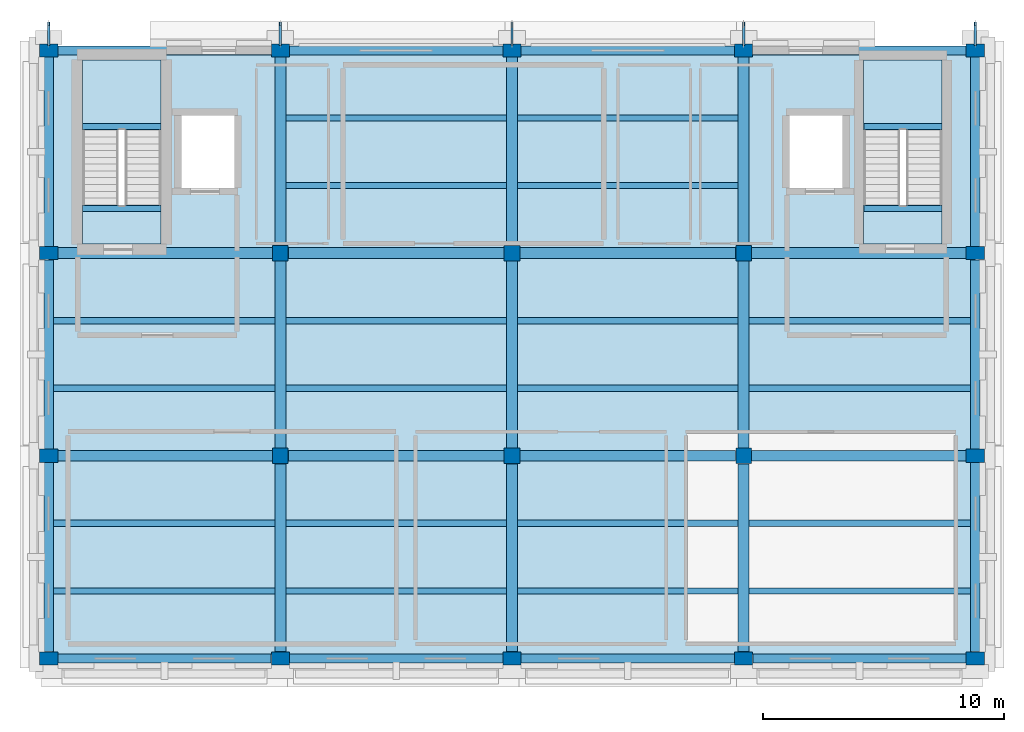
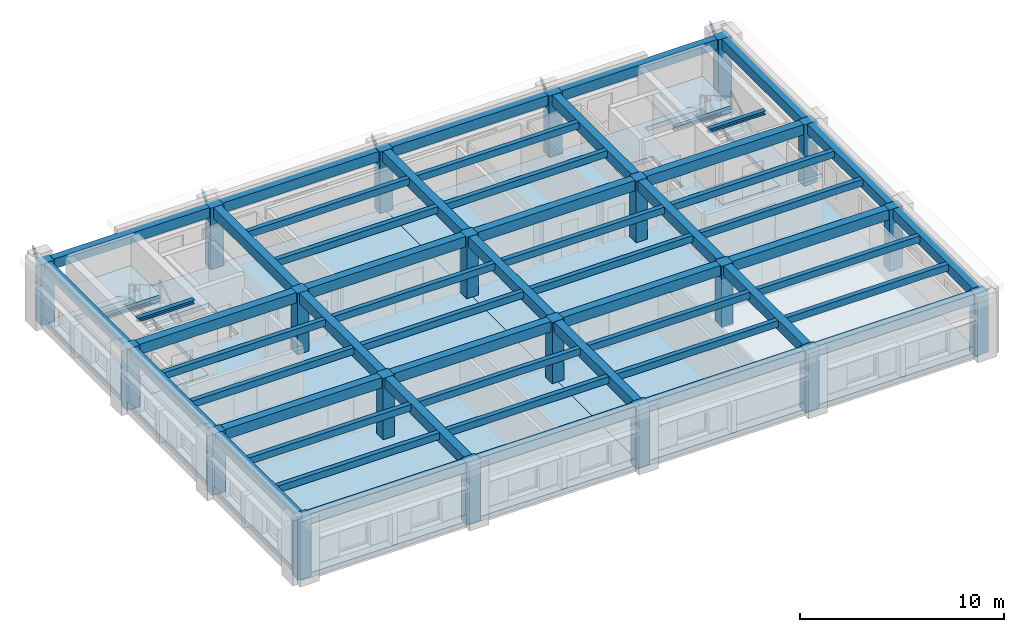
# One storey, part 1 of 9: 55 beams, 20 columns, 6 slabs, 5 members, 2 elements without a shape of their own.
"""IFC4 building model written with IfcOpenShell, lengths in metres."""

from ifc_helpers import new_model, si_unit, direction, frame, origin, origin_2d, place, context, subcontext, project, spatial, polyline, rectangle, hollow_rectangle, i_section, outline, extrude, material, layer, layer_set, material_profile, profile_set, type_object, element, aggregate, save


model = new_model("IFC4")

# Units and contexts
model_context = context("Model", 3, precision=1e-05, world=origin(), true_north=direction((0.0, 1.0)))
body_context = subcontext(model_context, "Body", "Model", "MODEL_VIEW")
ifc_project = project(units=[si_unit("LENGTHUNIT", "METRE"), si_unit("AREAUNIT", "SQUARE_METRE"), si_unit("VOLUMEUNIT", "CUBIC_METRE"), si_unit("PLANEANGLEUNIT", "RADIAN"), si_unit("MASSUNIT", "GRAM", prefix="KILO")], contexts=[model_context])

# Site, building, storey
site_placement = place(None, origin())
site = spatial("IfcSite", under=ifc_project, at=site_placement, CompositionType="ELEMENT")
building_placement = place(site_placement, origin())
building = spatial("IfcBuilding", under=site, at=building_placement, Name="Bempovik Park Faculty of Sciences", CompositionType="ELEMENT")
storey_placement = place(building_placement, frame((0.0, 0.0, 46.199951171875)))
storey = spatial("IfcBuildingStorey", under=building, at=storey_placement, Name="L11", CompositionType="ELEMENT", Elevation=46.199951171875)

# Columns
ifc_material_1 = material(Name="Concrete C40/50", Category="concrete")
ifc_material_profile_1 = material_profile(ifc_material_1, rectangle(XDim=0.75, YDim=0.550048828125, at=origin_2d()), Name="RC 750x550")
ifc_profile_set_1 = profile_set([ifc_material_profile_1], Name="Concrete C40/50")
column_type_1 = type_object("IfcColumnType", Name="C-43 RC 750x550", PredefinedType="COLUMN", material=ifc_profile_set_1)
for number, where, z_axis, x_axis, name in (
    (1, (69.60009765625, 94.199951171875, 0.0), (0.0, 0.0, 1.0), (1.0, 0.0, 0.0), "L11 Structural Column (69.6,94.2)"),
    (2, (69.60009765625, 102.60009765625, 0.0), (0.0, 0.0, 1.0), (1.0, 0.0, 0.0), "L11 Structural Column (69.6,102.6)"),
    (3, (69.60009765625, 111.0, 0.0), (0.0, 0.0, 1.0), (1.0, 0.0, 0.0), "L11 Structural Column (69.6,111.0)"),
    (4, (69.60009765625, 119.39990234375, 0.0), (0.0, 0.0, 1.0), (1.0, 0.0, 0.0), "L11 Structural Column (69.6,119.4)"),
    (5, (79.199951171875, 94.199951171875, 0.0), (0.0, 0.0, 1.0), (1.0, 0.0, 0.0), "L11 Structural Column (79.2,94.2)"),
    (6, (79.199951171875, 119.39990234375, 0.0), (0.0, 0.0, 1.0), (1.0, 0.0, 0.0), "L11 Structural Column (79.2,119.4)"),
    (7, (88.800048828125, 94.199951171875, 0.0), (0.0, 0.0, 1.0), (1.0, 0.0, 0.0), "L11 Structural Column (88.8,94.2)"),
    (8, (88.800048828125, 119.39990234375, 0.0), (0.0, 0.0, 1.0), (1.0, 0.0, 0.0), "L11 Structural Column (88.8,119.4)"),
    (9, (98.39990234375, 94.199951171875, 0.0), (0.0, 0.0, 1.0), (1.0, 0.0, 0.0), "L11 Structural Column (98.4,94.2)"),
    (10, (98.39990234375, 119.39990234375, 0.0), (0.0, 0.0, 1.0), (1.0, 0.0, 0.0), "L11 Structural Column (98.4,119.4)"),
    (11, (108.0, 94.199951171875, 0.0), (0.0, 0.0, 1.0), (1.0, 0.0, 0.0), "L11 Structural Column (108.0,94.2)"),
    (12, (108.0, 102.60009765625, 0.0), (0.0, 0.0, 1.0), (1.0, 0.0, 0.0), "L11 Structural Column (108.0,102.6)"),
    (13, (108.0, 111.0, 0.0), (0.0, 0.0, 1.0), (1.0, 0.0, 0.0), "L11 Structural Column (108.0,111.0)"),
    (14, (108.0, 119.39990234375, 0.0), (0.0, 0.0, 1.0), (1.0, 0.0, 0.0), "L11 Structural Column (108.0,119.4)"),
):
    element("IfcColumn", number, at=place(storey_placement, frame(where, z_axis=z_axis, x_axis=x_axis)), inside=storey, type_object=column_type_1, Name=name, PredefinedType="COLUMN", context=body_context, shape_type="SweptSolid", body=[
        extrude(rectangle(XDim=0.75, YDim=0.550048828125, at=origin_2d()), origin(), (0.0, 0.0, 1.0), 3.679931640625),
    ])
ifc_material_profile_2 = material_profile(ifc_material_1, rectangle(XDim=0.64990234375, YDim=0.64990234375, at=origin_2d()), Name="RC 650x650")
ifc_profile_set_2 = profile_set([ifc_material_profile_2], Name="Concrete C40/50")
column_type_2 = type_object("IfcColumnType", Name="C-82 RC 650x650", PredefinedType="COLUMN", material=ifc_profile_set_2)
for number, where, z_axis, x_axis, name in (
    (15, (79.199951171875, 102.60009765625, 0.0), (0.0, 0.0, 1.0), (1.0, 0.0, 0.0), "L11 Structural Column (79.2,102.6)"),
    (16, (79.199951171875, 111.0, 0.0), (0.0, 0.0, 1.0), (1.0, 0.0, 0.0), "L11 Structural Column (79.2,111.0)"),
    (17, (88.800048828125, 102.60009765625, 0.0), (0.0, 0.0, 1.0), (1.0, 0.0, 0.0), "L11 Structural Column (88.8,102.6)"),
    (18, (88.800048828125, 111.0, 0.0), (0.0, 0.0, 1.0), (1.0, 0.0, 0.0), "L11 Structural Column (88.8,111.0)"),
    (19, (98.39990234375, 102.60009765625, 0.0), (0.0, 0.0, 1.0), (1.0, 0.0, 0.0), "L11 Structural Column (98.4,102.6)"),
    (20, (98.39990234375, 111.0, 0.0), (0.0, 0.0, 1.0), (1.0, 0.0, 0.0), "L11 Structural Column (98.4,111.0)"),
):
    element("IfcColumn", number, at=place(storey_placement, frame(where, z_axis=z_axis, x_axis=x_axis)), inside=storey, type_object=column_type_2, Name=name, PredefinedType="COLUMN", context=body_context, shape_type="SweptSolid", body=[
        extrude(rectangle(XDim=0.64990234375, YDim=0.64990234375, at=origin_2d()), origin(), (0.0, 0.0, 1.0), 3.679931640625),
    ])

# Beams
ifc_material_2 = material(Name="Concrete C35/45", Category="concrete")
ifc_material_profile_3 = material_profile(ifc_material_2, rectangle(XDim=0.3798828125, YDim=0.60009765625, at=origin_2d()), Name="RC 380x600")
ifc_profile_set_3 = profile_set([ifc_material_profile_3], Name="Concrete C35/45")
beam_type_1 = type_object("IfcBeamType", Name="B-032 RC 380x600", PredefinedType="SPANDREL", material=ifc_profile_set_3)
beam_1_placement = place(storey_placement, frame((69.98095703125, 94.199951171875, 3.380126953125), z_axis=(1.0, 0.0, 0.0), x_axis=(0.0, 1.0, 0.0)))
element("IfcBeam", 21, at=beam_1_placement, inside=storey, type_object=beam_type_1, Name="L11 Beam X (69.6-79.2, y=94.2)", PredefinedType="SPANDREL", context=body_context, shape_type="SweptSolid", body=[
    extrude(rectangle(XDim=0.3798828125, YDim=0.60009765625, at=origin_2d()), origin(), (0.0, 0.0, 1.0), 8.838134765625),
])
beam_2_placement = place(storey_placement, frame((79.5810546875, 94.199951171875, 3.380126953125), z_axis=(1.0, 0.0, 0.0), x_axis=(0.0, 1.0, 0.0)))
element("IfcBeam", 22, at=beam_2_placement, inside=storey, type_object=beam_type_1, Name="L11 Beam X (79.2-88.8, y=94.2)", PredefinedType="SPANDREL", context=body_context, shape_type="SweptSolid", body=[
    extrude(rectangle(XDim=0.3798828125, YDim=0.60009765625, at=origin_2d()), origin(), (0.0, 0.0, 1.0), 8.837890625),
])
beam_3_placement = place(storey_placement, frame((89.180908203125, 94.199951171875, 3.380126953125), z_axis=(1.0, 0.0, 0.0), x_axis=(0.0, 1.0, 0.0)))
element("IfcBeam", 23, at=beam_3_placement, inside=storey, type_object=beam_type_1, Name="L11 Beam X (88.8-98.4, y=94.2)", PredefinedType="SPANDREL", context=body_context, shape_type="SweptSolid", body=[
    extrude(rectangle(XDim=0.3798828125, YDim=0.60009765625, at=origin_2d()), origin(), (0.0, 0.0, 1.0), 8.838134765625),
])
beam_4_placement = place(storey_placement, frame((98.781005859375, 94.199951171875, 3.380126953125), z_axis=(1.0, 0.0, 0.0), x_axis=(0.0, 1.0, 0.0)))
element("IfcBeam", 24, at=beam_4_placement, inside=storey, type_object=beam_type_1, Name="L11 Beam X (98.4-108.0, y=94.2)", PredefinedType="SPANDREL", context=body_context, shape_type="SweptSolid", body=[
    extrude(rectangle(XDim=0.3798828125, YDim=0.60009765625, at=origin_2d()), origin(), (0.0, 0.0, 1.0), 8.837890625),
])
beam_5_placement = place(storey_placement, frame((69.98095703125, 119.39990234375, 3.380126953125), z_axis=(1.0, 0.0, 0.0), x_axis=(0.0, 1.0, 0.0)))
element("IfcBeam", 25, at=beam_5_placement, inside=storey, type_object=beam_type_1, Name="L11 Beam X (69.6-79.2, y=119.4)", PredefinedType="SPANDREL", context=body_context, shape_type="SweptSolid", body=[
    extrude(rectangle(XDim=0.3798828125, YDim=0.60009765625, at=origin_2d()), origin(), (0.0, 0.0, 1.0), 8.838134765625),
])
beam_6_placement = place(storey_placement, frame((79.5810546875, 119.39990234375, 3.380126953125), z_axis=(1.0, 0.0, 0.0), x_axis=(0.0, 1.0, 0.0)))
element("IfcBeam", 26, at=beam_6_placement, inside=storey, type_object=beam_type_1, Name="L11 Beam X (79.2-88.8, y=119.4)", PredefinedType="SPANDREL", context=body_context, shape_type="SweptSolid", body=[
    extrude(rectangle(XDim=0.3798828125, YDim=0.60009765625, at=origin_2d()), origin(), (0.0, 0.0, 1.0), 8.837890625),
])
beam_7_placement = place(storey_placement, frame((89.180908203125, 119.39990234375, 3.380126953125), z_axis=(1.0, 0.0, 0.0), x_axis=(0.0, 1.0, 0.0)))
element("IfcBeam", 27, at=beam_7_placement, inside=storey, type_object=beam_type_1, Name="L11 Beam X (88.8-98.4, y=119.4)", PredefinedType="SPANDREL", context=body_context, shape_type="SweptSolid", body=[
    extrude(rectangle(XDim=0.3798828125, YDim=0.60009765625, at=origin_2d()), origin(), (0.0, 0.0, 1.0), 8.838134765625),
])
beam_8_placement = place(storey_placement, frame((98.781005859375, 119.39990234375, 3.380126953125), z_axis=(1.0, 0.0, 0.0), x_axis=(0.0, 1.0, 0.0)))
element("IfcBeam", 28, at=beam_8_placement, inside=storey, type_object=beam_type_1, Name="L11 Beam X (98.4-108.0, y=119.4)", PredefinedType="SPANDREL", context=body_context, shape_type="SweptSolid", body=[
    extrude(rectangle(XDim=0.3798828125, YDim=0.60009765625, at=origin_2d()), origin(), (0.0, 0.0, 1.0), 8.837890625),
])
beam_9_placement = place(storey_placement, frame((69.60009765625, 94.48095703125, 3.380126953125), z_axis=(0.0, 1.0, 0.0), x_axis=(-1.0, 0.0, 0.0)))
element("IfcBeam", 29, at=beam_9_placement, inside=storey, type_object=beam_type_1, Name="L11 Beam Y (x=69.6, 94.2-102.6)", PredefinedType="SPANDREL", context=body_context, shape_type="SweptSolid", body=[
    extrude(rectangle(XDim=0.3798828125, YDim=0.60009765625, at=origin_2d()), origin(), (0.0, 0.0, 1.0), 7.838134765625),
])
for number, where, z_axis, x_axis, name in (
    (30, (69.60009765625, 102.881103515625, 3.380126953125), (0.0, 1.0, 0.0), (-1.0, 0.0, 0.0), "L11 Beam Y (x=69.6, 102.6-111.0)"),
    (31, (69.60009765625, 111.281005859375, 3.380126953125), (0.0, 1.0, 0.0), (-1.0, 0.0, 0.0), "L11 Beam Y (x=69.6, 111.0-119.4)"),
):
    element("IfcBeam", number, at=place(storey_placement, frame(where, z_axis=z_axis, x_axis=x_axis)), inside=storey, type_object=beam_type_1, Name=name, PredefinedType="SPANDREL", context=body_context, shape_type="SweptSolid", body=[
        extrude(rectangle(XDim=0.3798828125, YDim=0.60009765625, at=origin_2d()), origin(), (0.0, 0.0, 1.0), 7.837890625),
    ])
beam_10_placement = place(storey_placement, frame((108.0, 94.48095703125, 3.380126953125), z_axis=(0.0, 1.0, 0.0), x_axis=(-1.0, 0.0, 0.0)))
element("IfcBeam", 32, at=beam_10_placement, inside=storey, type_object=beam_type_1, Name="L11 Beam Y (x=108.0, 94.2-102.6)", PredefinedType="SPANDREL", context=body_context, shape_type="SweptSolid", body=[
    extrude(rectangle(XDim=0.3798828125, YDim=0.60009765625, at=origin_2d()), origin(), (0.0, 0.0, 1.0), 7.838134765625),
])
for number, where, z_axis, x_axis, name in (
    (33, (108.0, 102.881103515625, 3.380126953125), (0.0, 1.0, 0.0), (-1.0, 0.0, 0.0), "L11 Beam Y (x=108.0, 102.6-111.0)"),
    (34, (108.0, 111.281005859375, 3.380126953125), (0.0, 1.0, 0.0), (-1.0, 0.0, 0.0), "L11 Beam Y (x=108.0, 111.0-119.4)"),
):
    element("IfcBeam", number, at=place(storey_placement, frame(where, z_axis=z_axis, x_axis=x_axis)), inside=storey, type_object=beam_type_1, Name=name, PredefinedType="SPANDREL", context=body_context, shape_type="SweptSolid", body=[
        extrude(rectangle(XDim=0.3798828125, YDim=0.60009765625, at=origin_2d()), origin(), (0.0, 0.0, 1.0), 7.837890625),
    ])
ifc_material_profile_4 = material_profile(ifc_material_2, rectangle(XDim=0.260009765625, YDim=0.39990234375, at=origin_2d()), Name="RC 260x400")
ifc_profile_set_4 = profile_set([ifc_material_profile_4], Name="Concrete C35/45")
beam_type_2 = type_object("IfcBeamType", Name="B-063 RC 260x400", PredefinedType="JOIST", material=ifc_profile_set_4)
for number, where, z_axis, x_axis, name in (
    (35, (69.7958984375, 97.0, 3.47998046875), (1.0, 0.0, 0.0), (0.0, 1.0, 0.0), "L11 Secondary Joist (69.6-79.2, y=97.00)"),
    (36, (69.7958984375, 99.800048828125, 3.47998046875), (1.0, 0.0, 0.0), (0.0, 1.0, 0.0), "L11 Secondary Joist (69.6-79.2, y=99.80)"),
    (37, (69.7958984375, 105.39990234375, 3.47998046875), (1.0, 0.0, 0.0), (0.0, 1.0, 0.0), "L11 Secondary Joist (69.6-79.2, y=105.40)"),
    (38, (69.7958984375, 108.199951171875, 3.47998046875), (1.0, 0.0, 0.0), (0.0, 1.0, 0.0), "L11 Secondary Joist (69.6-79.2, y=108.20)"),
):
    element("IfcBeam", number, at=place(storey_placement, frame(where, z_axis=z_axis, x_axis=x_axis)), inside=storey, type_object=beam_type_2, Name=name, PredefinedType="JOIST", context=body_context, shape_type="SweptSolid", body=[
        extrude(rectangle(XDim=0.260009765625, YDim=0.39990234375, at=origin_2d()), origin(), (0.0, 0.0, 1.0), 9.173095703125),
    ])
for number, where, z_axis, x_axis, name in (
    (39, (79.430908203125, 97.0, 3.47998046875), (1.0, 0.0, 0.0), (0.0, 1.0, 0.0), "L11 Secondary Joist (79.2-88.8, y=97.00)"),
    (40, (79.430908203125, 99.800048828125, 3.47998046875), (1.0, 0.0, 0.0), (0.0, 1.0, 0.0), "L11 Secondary Joist (79.2-88.8, y=99.80)"),
    (41, (79.430908203125, 105.39990234375, 3.47998046875), (1.0, 0.0, 0.0), (0.0, 1.0, 0.0), "L11 Secondary Joist (79.2-88.8, y=105.40)"),
    (42, (79.430908203125, 108.199951171875, 3.47998046875), (1.0, 0.0, 0.0), (0.0, 1.0, 0.0), "L11 Secondary Joist (79.2-88.8, y=108.20)"),
    (43, (79.430908203125, 113.800048828125, 3.47998046875), (1.0, 0.0, 0.0), (0.0, 1.0, 0.0), "L11 Secondary Joist (79.2-88.8, y=113.80)"),
    (44, (79.430908203125, 116.60009765625, 3.47998046875), (1.0, 0.0, 0.0), (0.0, 1.0, 0.0), "L11 Secondary Joist (79.2-88.8, y=116.60)"),
):
    element("IfcBeam", number, at=place(storey_placement, frame(where, z_axis=z_axis, x_axis=x_axis)), inside=storey, type_object=beam_type_2, Name=name, PredefinedType="JOIST", context=body_context, shape_type="SweptSolid", body=[
        extrude(rectangle(XDim=0.260009765625, YDim=0.39990234375, at=origin_2d()), origin(), (0.0, 0.0, 1.0), 9.13818359375),
    ])
for number, where, z_axis, x_axis, name in (
    (45, (89.031005859375, 97.0, 3.47998046875), (1.0, 0.0, 0.0), (0.0, 1.0, 0.0), "L11 Secondary Joist (88.8-98.4, y=97.00)"),
    (46, (89.031005859375, 99.800048828125, 3.47998046875), (1.0, 0.0, 0.0), (0.0, 1.0, 0.0), "L11 Secondary Joist (88.8-98.4, y=99.80)"),
    (47, (89.031005859375, 105.39990234375, 3.47998046875), (1.0, 0.0, 0.0), (0.0, 1.0, 0.0), "L11 Secondary Joist (88.8-98.4, y=105.40)"),
    (48, (89.031005859375, 108.199951171875, 3.47998046875), (1.0, 0.0, 0.0), (0.0, 1.0, 0.0), "L11 Secondary Joist (88.8-98.4, y=108.20)"),
    (49, (89.031005859375, 113.800048828125, 3.47998046875), (1.0, 0.0, 0.0), (0.0, 1.0, 0.0), "L11 Secondary Joist (88.8-98.4, y=113.80)"),
    (50, (89.031005859375, 116.60009765625, 3.47998046875), (1.0, 0.0, 0.0), (0.0, 1.0, 0.0), "L11 Secondary Joist (88.8-98.4, y=116.60)"),
):
    element("IfcBeam", number, at=place(storey_placement, frame(where, z_axis=z_axis, x_axis=x_axis)), inside=storey, type_object=beam_type_2, Name=name, PredefinedType="JOIST", context=body_context, shape_type="SweptSolid", body=[
        extrude(rectangle(XDim=0.260009765625, YDim=0.39990234375, at=origin_2d()), origin(), (0.0, 0.0, 1.0), 9.137939453125),
    ])
for number, where, z_axis, x_axis, name in (
    (51, (98.631103515625, 97.0, 3.47998046875), (1.0, 0.0, 0.0), (0.0, 1.0, 0.0), "L11 Secondary Joist (98.4-108.0, y=97.00)"),
    (52, (98.631103515625, 99.800048828125, 3.47998046875), (1.0, 0.0, 0.0), (0.0, 1.0, 0.0), "L11 Secondary Joist (98.4-108.0, y=99.80)"),
    (53, (98.631103515625, 105.39990234375, 3.47998046875), (1.0, 0.0, 0.0), (0.0, 1.0, 0.0), "L11 Secondary Joist (98.4-108.0, y=105.40)"),
    (54, (98.631103515625, 108.199951171875, 3.47998046875), (1.0, 0.0, 0.0), (0.0, 1.0, 0.0), "L11 Secondary Joist (98.4-108.0, y=108.20)"),
):
    element("IfcBeam", number, at=place(storey_placement, frame(where, z_axis=z_axis, x_axis=x_axis)), inside=storey, type_object=beam_type_2, Name=name, PredefinedType="JOIST", context=body_context, shape_type="SweptSolid", body=[
        extrude(rectangle(XDim=0.260009765625, YDim=0.39990234375, at=origin_2d()), origin(), (0.0, 0.0, 1.0), 9.1728515625),
    ])
ifc_material_3 = material(Name="Steel S355", Category="steel")
ifc_material_profile_5 = material_profile(ifc_material_3, i_section(OverallWidth=0.239990234375, OverallDepth=0.22998046875, WebThickness=0.007568359375, FlangeThickness=0.011962890625, at=origin_2d()), Name="HEA 240")
ifc_profile_set_5 = profile_set([ifc_material_profile_5], Name="Steel S355")
beam_type_3 = type_object("IfcBeamType", Name="B-070 HEA 240", PredefinedType="BEAM", material=ifc_profile_set_5)
for number, where, z_axis, x_axis, name in (
    (55, (71.006103515625, 116.24365234375, 1.635009765625), (1.0, 0.0, 0.0), (0.0, 1.0, 0.0), "L11 ST-1 Half-Landing Trimmer Beam"),
    (56, (71.006103515625, 112.85009765625, 3.56494140625), (1.0, 0.0, 0.0), (0.0, 1.0, 0.0), "Roof ST-1 Floor Landing Trimmer Beam"),
    (57, (103.381103515625, 116.24365234375, 1.635009765625), (1.0, 0.0, 0.0), (0.0, 1.0, 0.0), "L11 ST-2 Half-Landing Trimmer Beam"),
    (58, (103.381103515625, 112.85009765625, 3.56494140625), (1.0, 0.0, 0.0), (0.0, 1.0, 0.0), "Roof ST-2 Floor Landing Trimmer Beam"),
):
    element("IfcBeam", number, at=place(storey_placement, frame(where, z_axis=z_axis, x_axis=x_axis)), inside=storey, type_object=beam_type_3, Name=name, PredefinedType="BEAM", context=body_context, shape_type="SweptSolid", body=[
        extrude(i_section(OverallWidth=0.239990234375, OverallDepth=0.22998046875, WebThickness=0.007568359375, FlangeThickness=0.011962890625, at=origin_2d()), origin(), (0.0, 0.0, 1.0), 3.23779296875),
    ])
ifc_material_profile_6 = material_profile(ifc_material_2, rectangle(XDim=0.449951171875, YDim=0.6201171875, at=origin_2d()), Name="RC 450x620")
ifc_profile_set_6 = profile_set([ifc_material_profile_6], Name="Concrete C35/45")
beam_type_4 = type_object("IfcBeamType", Name="B-114 RC 450x620", PredefinedType="BEAM", material=ifc_profile_set_6)
beam_11_placement = place(storey_placement, frame((69.98095703125, 102.60009765625, 3.3701171875), z_axis=(1.0, 0.0, 0.0), x_axis=(0.0, 1.0, 0.0)))
element("IfcBeam", 59, at=beam_11_placement, inside=storey, type_object=beam_type_4, Name="L11 Beam X (69.6-79.2, y=102.6)", PredefinedType="BEAM", context=body_context, shape_type="SweptSolid", body=[
    extrude(rectangle(XDim=0.449951171875, YDim=0.6201171875, at=origin_2d()), origin(), (0.0, 0.0, 1.0), 8.887939453125),
])
for number, where, z_axis, x_axis, name in (
    (60, (79.531005859375, 102.60009765625, 3.3701171875), (1.0, 0.0, 0.0), (0.0, 1.0, 0.0), "L11 Beam X (79.2-88.8, y=102.6)"),
    (61, (89.131103515625, 102.60009765625, 3.3701171875), (1.0, 0.0, 0.0), (0.0, 1.0, 0.0), "L11 Beam X (88.8-98.4, y=102.6)"),
):
    element("IfcBeam", number, at=place(storey_placement, frame(where, z_axis=z_axis, x_axis=x_axis)), inside=storey, type_object=beam_type_4, Name=name, PredefinedType="BEAM", context=body_context, shape_type="SweptSolid", body=[
        extrude(rectangle(XDim=0.449951171875, YDim=0.6201171875, at=origin_2d()), origin(), (0.0, 0.0, 1.0), 8.93798828125),
    ])
for number, where, z_axis, x_axis, name in (
    (62, (98.73095703125, 102.60009765625, 3.3701171875), (1.0, 0.0, 0.0), (0.0, 1.0, 0.0), "L11 Beam X (98.4-108.0, y=102.6)"),
    (63, (69.98095703125, 111.0, 3.3701171875), (1.0, 0.0, 0.0), (0.0, 1.0, 0.0), "L11 Beam X (69.6-79.2, y=111.0)"),
):
    element("IfcBeam", number, at=place(storey_placement, frame(where, z_axis=z_axis, x_axis=x_axis)), inside=storey, type_object=beam_type_4, Name=name, PredefinedType="BEAM", context=body_context, shape_type="SweptSolid", body=[
        extrude(rectangle(XDim=0.449951171875, YDim=0.6201171875, at=origin_2d()), origin(), (0.0, 0.0, 1.0), 8.887939453125),
    ])
for number, where, z_axis, x_axis, name in (
    (64, (79.531005859375, 111.0, 3.3701171875), (1.0, 0.0, 0.0), (0.0, 1.0, 0.0), "L11 Beam X (79.2-88.8, y=111.0)"),
    (65, (89.131103515625, 111.0, 3.3701171875), (1.0, 0.0, 0.0), (0.0, 1.0, 0.0), "L11 Beam X (88.8-98.4, y=111.0)"),
):
    element("IfcBeam", number, at=place(storey_placement, frame(where, z_axis=z_axis, x_axis=x_axis)), inside=storey, type_object=beam_type_4, Name=name, PredefinedType="BEAM", context=body_context, shape_type="SweptSolid", body=[
        extrude(rectangle(XDim=0.449951171875, YDim=0.6201171875, at=origin_2d()), origin(), (0.0, 0.0, 1.0), 8.93798828125),
    ])
beam_12_placement = place(storey_placement, frame((98.73095703125, 111.0, 3.3701171875), z_axis=(1.0, 0.0, 0.0), x_axis=(0.0, 1.0, 0.0)))
element("IfcBeam", 66, at=beam_12_placement, inside=storey, type_object=beam_type_4, Name="L11 Beam X (98.4-108.0, y=111.0)", PredefinedType="BEAM", context=body_context, shape_type="SweptSolid", body=[
    extrude(rectangle(XDim=0.449951171875, YDim=0.6201171875, at=origin_2d()), origin(), (0.0, 0.0, 1.0), 8.887939453125),
])
beam_13_placement = place(storey_placement, frame((79.199951171875, 94.48095703125, 3.3701171875), z_axis=(0.0, 1.0, 0.0), x_axis=(-1.0, 0.0, 0.0)))
element("IfcBeam", 67, at=beam_13_placement, inside=storey, type_object=beam_type_4, Name="L11 Beam Y (x=79.2, 94.2-102.6)", PredefinedType="BEAM", context=body_context, shape_type="SweptSolid", body=[
    extrude(rectangle(XDim=0.449951171875, YDim=0.6201171875, at=origin_2d()), origin(), (0.0, 0.0, 1.0), 7.7880859375),
])
beam_14_placement = place(storey_placement, frame((79.199951171875, 102.930908203125, 3.3701171875), z_axis=(0.0, 1.0, 0.0), x_axis=(-1.0, 0.0, 0.0)))
element("IfcBeam", 68, at=beam_14_placement, inside=storey, type_object=beam_type_4, Name="L11 Beam Y (x=79.2, 102.6-111.0)", PredefinedType="BEAM", context=body_context, shape_type="SweptSolid", body=[
    extrude(rectangle(XDim=0.449951171875, YDim=0.6201171875, at=origin_2d()), origin(), (0.0, 0.0, 1.0), 7.738037109375),
])
beam_15_placement = place(storey_placement, frame((79.199951171875, 111.3310546875, 3.3701171875), z_axis=(0.0, 1.0, 0.0), x_axis=(-1.0, 0.0, 0.0)))
element("IfcBeam", 69, at=beam_15_placement, inside=storey, type_object=beam_type_4, Name="L11 Beam Y (x=79.2, 111.0-119.4)", PredefinedType="BEAM", context=body_context, shape_type="SweptSolid", body=[
    extrude(rectangle(XDim=0.449951171875, YDim=0.6201171875, at=origin_2d()), origin(), (0.0, 0.0, 1.0), 7.787841796875),
])
beam_16_placement = place(storey_placement, frame((88.800048828125, 94.48095703125, 3.3701171875), z_axis=(0.0, 1.0, 0.0), x_axis=(-1.0, 0.0, 0.0)))
element("IfcBeam", 70, at=beam_16_placement, inside=storey, type_object=beam_type_4, Name="L11 Beam Y (x=88.8, 94.2-102.6)", PredefinedType="BEAM", context=body_context, shape_type="SweptSolid", body=[
    extrude(rectangle(XDim=0.449951171875, YDim=0.6201171875, at=origin_2d()), origin(), (0.0, 0.0, 1.0), 7.7880859375),
])
beam_17_placement = place(storey_placement, frame((88.800048828125, 102.930908203125, 3.3701171875), z_axis=(0.0, 1.0, 0.0), x_axis=(-1.0, 0.0, 0.0)))
element("IfcBeam", 71, at=beam_17_placement, inside=storey, type_object=beam_type_4, Name="L11 Beam Y (x=88.8, 102.6-111.0)", PredefinedType="BEAM", context=body_context, shape_type="SweptSolid", body=[
    extrude(rectangle(XDim=0.449951171875, YDim=0.6201171875, at=origin_2d()), origin(), (0.0, 0.0, 1.0), 7.738037109375),
])
beam_18_placement = place(storey_placement, frame((88.800048828125, 111.3310546875, 3.3701171875), z_axis=(0.0, 1.0, 0.0), x_axis=(-1.0, 0.0, 0.0)))
element("IfcBeam", 72, at=beam_18_placement, inside=storey, type_object=beam_type_4, Name="L11 Beam Y (x=88.8, 111.0-119.4)", PredefinedType="BEAM", context=body_context, shape_type="SweptSolid", body=[
    extrude(rectangle(XDim=0.449951171875, YDim=0.6201171875, at=origin_2d()), origin(), (0.0, 0.0, 1.0), 7.787841796875),
])
beam_19_placement = place(storey_placement, frame((98.39990234375, 94.48095703125, 3.3701171875), z_axis=(0.0, 1.0, 0.0), x_axis=(-1.0, 0.0, 0.0)))
element("IfcBeam", 73, at=beam_19_placement, inside=storey, type_object=beam_type_4, Name="L11 Beam Y (x=98.4, 94.2-102.6)", PredefinedType="BEAM", context=body_context, shape_type="SweptSolid", body=[
    extrude(rectangle(XDim=0.449951171875, YDim=0.6201171875, at=origin_2d()), origin(), (0.0, 0.0, 1.0), 7.7880859375),
])
beam_20_placement = place(storey_placement, frame((98.39990234375, 102.930908203125, 3.3701171875), z_axis=(0.0, 1.0, 0.0), x_axis=(-1.0, 0.0, 0.0)))
element("IfcBeam", 74, at=beam_20_placement, inside=storey, type_object=beam_type_4, Name="L11 Beam Y (x=98.4, 102.6-111.0)", PredefinedType="BEAM", context=body_context, shape_type="SweptSolid", body=[
    extrude(rectangle(XDim=0.449951171875, YDim=0.6201171875, at=origin_2d()), origin(), (0.0, 0.0, 1.0), 7.738037109375),
])
beam_21_placement = place(storey_placement, frame((98.39990234375, 111.3310546875, 3.3701171875), z_axis=(0.0, 1.0, 0.0), x_axis=(-1.0, 0.0, 0.0)))
element("IfcBeam", 75, at=beam_21_placement, inside=storey, type_object=beam_type_4, Name="L11 Beam Y (x=98.4, 111.0-119.4)", PredefinedType="BEAM", context=body_context, shape_type="SweptSolid", body=[
    extrude(rectangle(XDim=0.449951171875, YDim=0.6201171875, at=origin_2d()), origin(), (0.0, 0.0, 1.0), 7.787841796875),
])

# Members
ifc_material_profile_7 = material_profile(ifc_material_3, hollow_rectangle(XDim=0.10009765625, YDim=0.199951171875, WallThickness=0.008056640625, at=origin_2d()), Name="RHS 200x100x8")
ifc_profile_set_7 = profile_set([ifc_material_profile_7], Name="Steel S355")
member_type = type_object("IfcMemberType", Name="M-41 RHS 200x100x8", PredefinedType="STRUT", material=ifc_profile_set_7)
for number, where, z_axis, x_axis, name in (
    (76, (69.60009765625, 119.680908203125, 2.800048828125), (0.0, 0.685434795944, 0.72813401274), (-1.0, 0.0, 0.0), "Tower Crown Cornice Outrigger Strut 1"),
    (77, (79.199951171875, 119.680908203125, 2.800048828125), (0.0, 0.685434795944, 0.72813401274), (-1.0, 0.0, 0.0), "Tower Crown Cornice Outrigger Strut 2"),
    (78, (88.800048828125, 119.680908203125, 2.800048828125), (0.0, 0.685434795944, 0.72813401274), (-1.0, 0.0, 0.0), "Tower Crown Cornice Outrigger Strut 3"),
    (79, (98.39990234375, 119.680908203125, 2.800048828125), (0.0, 0.685434795944, 0.72813401274), (-1.0, 0.0, 0.0), "Tower Crown Cornice Outrigger Strut 4"),
    (80, (108.0, 119.680908203125, 2.800048828125), (0.0, 0.685434795944, 0.72813401274), (-1.0, 0.0, 0.0), "Tower Crown Cornice Outrigger Strut 5"),
):
    element("IfcMember", number, at=place(storey_placement, frame(where, z_axis=z_axis, x_axis=x_axis)), inside=storey, type_object=member_type, Name=name, PredefinedType="STRUT", context=body_context, shape_type="SweptSolid", body=[
        extrude(hollow_rectangle(XDim=0.10009765625, YDim=0.199951171875, WallThickness=0.008056640625, at=origin_2d()), origin(), (0.0, 0.0, 1.0), 1.195068359375),
    ])

# Slabs
ifc_layer_1 = layer(ifc_material_2, 0.280029296875)
ifc_layer_set_1 = layer_set([ifc_layer_1], Name="Concrete C35/45")
slab_type_1 = type_object("IfcSlabType", Name="S-32 Slab 280mm", PredefinedType="FLOOR", material=ifc_layer_set_1)
slab_1_placement = place(storey_placement, frame((0.0, 0.0, -0.280029296875)))
element("IfcSlab", 81, at=slab_1_placement, inside=storey, type_object=slab_type_1, Name="L11 North Research Tower Floor Slab (W)", PredefinedType="FLOOR", context=body_context, shape_type="SweptSolid", body=[
    extrude(outline(polyline([(69.60009765625, 94.199951171875), (88.800048828125, 94.199951171875), (88.800048828125, 119.39990234375), (69.60009765625, 119.39990234375), (69.60009765625, 94.199951171875)]), holes=[polyline([(71.0, 111.375), (74.25, 111.375), (74.25, 119.0), (71.0, 119.0), (71.0, 111.375)]), polyline([(75.10009765625, 113.699951171875), (77.300048828125, 113.699951171875), (77.300048828125, 116.699951171875), (75.10009765625, 116.699951171875), (75.10009765625, 113.699951171875)])]), origin(), (0.0, 0.0, 1.0), 0.280029296875),
])
slab_2_placement = place(storey_placement, frame((0.0, 0.0, -0.280029296875)))
element("IfcSlab", 82, at=slab_2_placement, inside=storey, type_object=slab_type_1, Name="L11 North Research Tower Floor Slab (E)", PredefinedType="FLOOR", context=body_context, shape_type="SweptSolid", body=[
    extrude(outline(polyline([(88.800048828125, 94.199951171875), (108.0, 94.199951171875), (108.0, 119.39990234375), (88.800048828125, 119.39990234375), (88.800048828125, 94.199951171875)]), holes=[polyline([(103.375, 111.375), (106.625, 111.375), (106.625, 119.0), (103.375, 119.0), (103.375, 111.375)]), polyline([(100.300048828125, 113.699951171875), (102.5, 113.699951171875), (102.5, 116.699951171875), (100.300048828125, 116.699951171875), (100.300048828125, 113.699951171875)])]), origin(), (0.0, 0.0, 1.0), 0.280029296875),
])

# Stair, slab
stair_type = type_object("IfcStairType", Name="ST-17 Stair W1500 H3900", PredefinedType="HALF_TURN_STAIR", material=ifc_material_2)
stair_1_placement = place(storey_placement, origin())
stair_1 = element("IfcStair", 83, at=stair_1_placement, inside=storey, type_object=stair_type, Name="L11 ST-1 Dog-Leg Exit Stair", PredefinedType="HALF_TURN_STAIR")
ifc_layer_2 = layer(ifc_material_2, 0.199951171875)
ifc_layer_set_2 = layer_set([ifc_layer_2], Name="Concrete C35/45")
slab_type_2 = type_object("IfcSlabType", Name="S-41 Slab 200mm", PredefinedType="LANDING", material=ifc_layer_set_2)
slab_3_placement = place(storey_placement, frame((0.0, 0.0, 1.75)))
slab_3 = element("IfcSlab", 84, at=slab_3_placement, type_object=slab_type_2, Name="ST-17 landing 1", PredefinedType="LANDING", context=body_context, shape_type="SweptSolid", body=[
    extrude(outline(polyline([(74.25, 116.09375), (74.25, 119.0), (71.0, 119.0), (71.0, 116.09375), (74.25, 116.09375)])), origin(), (0.0, 0.0, 1.0), 0.199951171875),
])
aggregate(stair_1, [slab_3])

# Slab
slab_4_placement = place(storey_placement, frame((0.0, 0.0, -0.280029296875)))
element("IfcSlab", 85, at=slab_4_placement, inside=storey, type_object=slab_type_2, Name="L11 ST-1 Floor Landing Slab", PredefinedType="LANDING", context=body_context, shape_type="SweptSolid", body=[
    extrude(outline(polyline([(74.25, 111.375), (74.25, 113.0), (71.0, 113.0), (71.0, 111.375), (74.25, 111.375)])), origin(), (0.0, 0.0, 1.0), 0.280029296875),
])

# Stair, slab
stair_2_placement = place(storey_placement, origin())
stair_2 = element("IfcStair", 86, at=stair_2_placement, inside=storey, type_object=stair_type, Name="L11 ST-2 Dog-Leg Exit Stair", PredefinedType="HALF_TURN_STAIR")
slab_5_placement = place(storey_placement, frame((0.0, 0.0, 1.75)))
slab_5 = element("IfcSlab", 87, at=slab_5_placement, type_object=slab_type_2, Name="ST-17 landing 1", PredefinedType="LANDING", context=body_context, shape_type="SweptSolid", body=[
    extrude(outline(polyline([(106.625, 116.09375), (106.625, 119.0), (103.375, 119.0), (103.375, 116.09375), (106.625, 116.09375)])), origin(), (0.0, 0.0, 1.0), 0.199951171875),
])
aggregate(stair_2, [slab_5])

# Slab
slab_6_placement = place(storey_placement, frame((0.0, 0.0, -0.280029296875)))
element("IfcSlab", 88, at=slab_6_placement, inside=storey, type_object=slab_type_2, Name="L11 ST-2 Floor Landing Slab", PredefinedType="LANDING", context=body_context, shape_type="SweptSolid", body=[
    extrude(outline(polyline([(106.625, 111.375), (106.625, 113.0), (103.375, 113.0), (103.375, 111.375), (106.625, 111.375)])), origin(), (0.0, 0.0, 1.0), 0.280029296875),
])

save(model, "model.ifc")
